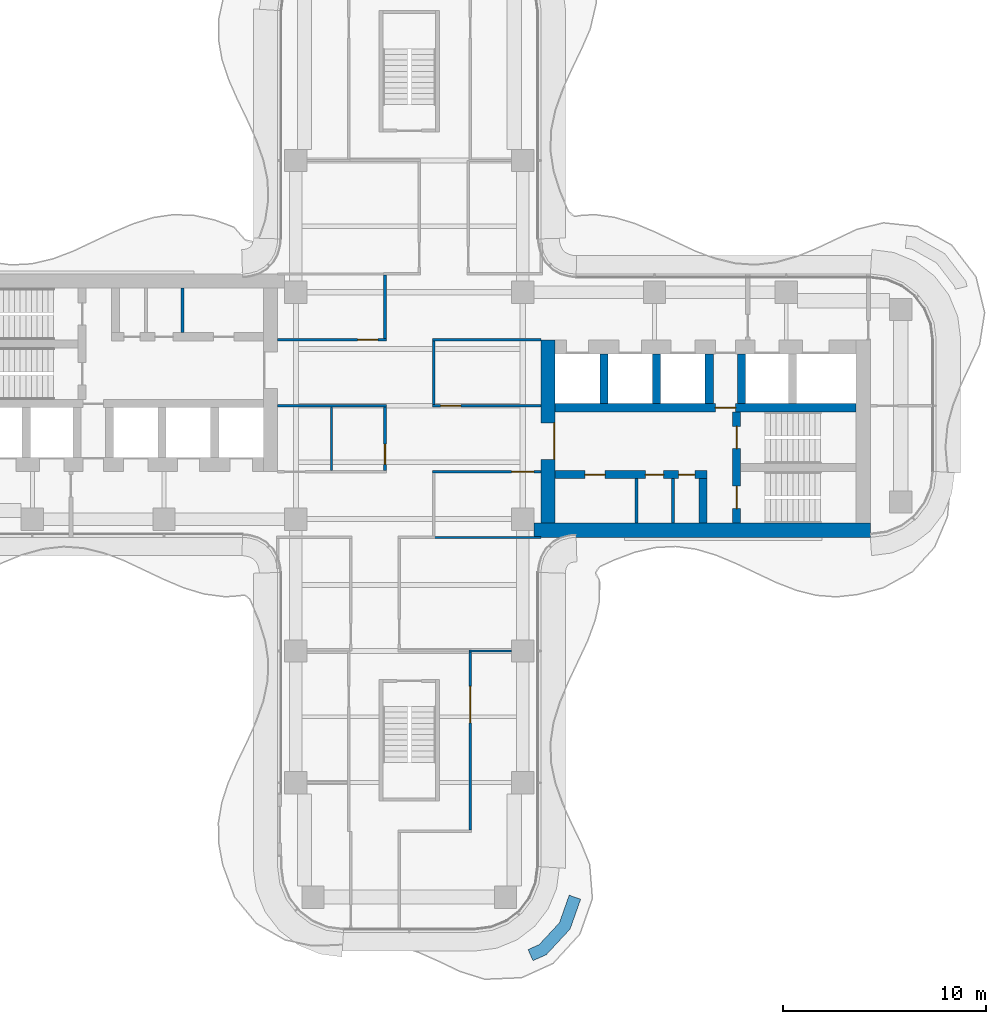
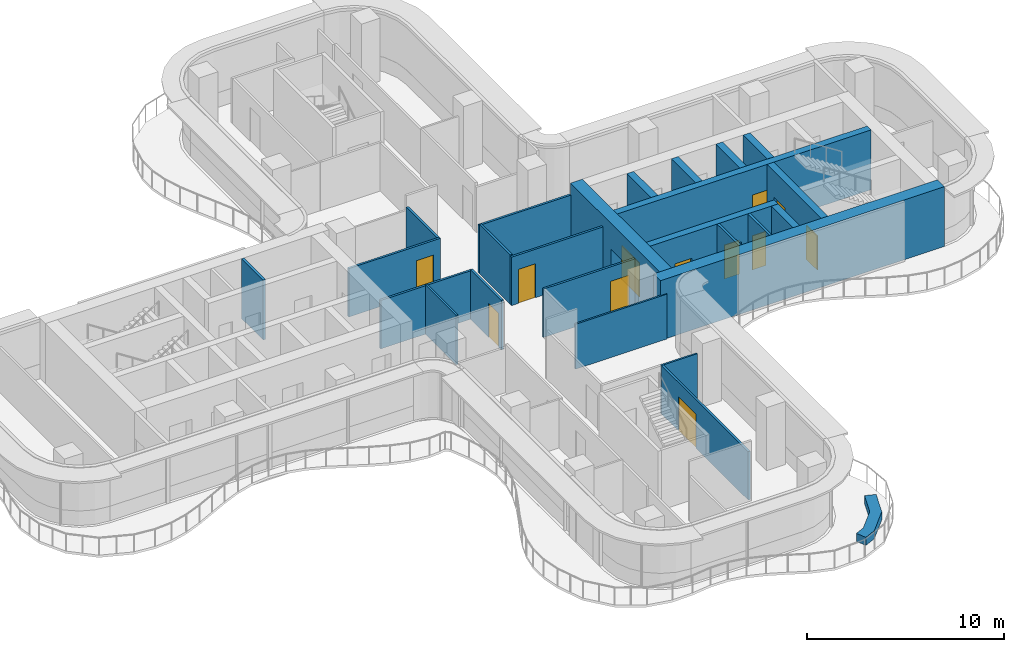
# One storey, part 13 of 17: 26 walls, 12 doors, 12 openings.
"""IFC4 building model written with IfcOpenShell, lengths in metres."""

from ifc_helpers import new_model, si_unit, direction, frame, frame_2d, origin, place, context, subcontext, project, spatial, polyline, rectangle, outline, extrude, source, transform, mapped, material, layer, layer_set, type_object, element, fill, save


model = new_model("IFC4")

# Units and contexts
model_context = context("Model", 3, precision=1e-05, world=origin(), true_north=direction((0.0, 1.0)))
body_context = subcontext(model_context, "Body", "Model", "MODEL_VIEW")
ifc_project = project(units=[si_unit("LENGTHUNIT", "METRE"), si_unit("AREAUNIT", "SQUARE_METRE"), si_unit("VOLUMEUNIT", "CUBIC_METRE"), si_unit("PLANEANGLEUNIT", "RADIAN"), si_unit("MASSUNIT", "GRAM", prefix="KILO")], contexts=[model_context])

# Site, building, storey
site_placement = place(None, origin())
site = spatial("IfcSite", under=ifc_project, at=site_placement, CompositionType="ELEMENT")
building_placement = place(site_placement, origin())
building = spatial("IfcBuilding", under=site, at=building_placement, Name="Trellis Farm Tower", CompositionType="ELEMENT")
storey_placement = place(building_placement, frame((0.0, 0.0, 240.199951171875)))
storey = spatial("IfcBuildingStorey", under=building, at=storey_placement, Name="L53", CompositionType="ELEMENT", Elevation=240.199951171875)

# Wall
ifc_material_1 = material(Name="Sandstone faced masonry planter", Category="masonry")
ifc_layer_1 = layer(ifc_material_1, 0.60009765625)
ifc_layer_set_1 = layer_set([ifc_layer_1], Name="PLANTER BED 600")
wall_type_1 = type_object("IfcWallType", Name="PLANTER BED 600", PredefinedType="USERDEFINED", material=ifc_layer_set_1)
wall_1_placement = place(storey_placement, origin())
element("IfcWall", 1, at=wall_1_placement, inside=storey, type_object=wall_type_1, Name="PLANTER bed", ObjectType="PLANTER", PredefinedType="USERDEFINED", context=body_context, shape_type="SweptSolid", body=[
    extrude(outline(polyline([(6.760986328125, -27.091064453125), (6.1025390625, -27.38525390625), (5.85791015625, -26.83740234375), (6.404541015625, -26.59326171875), (7.40673828125, -25.514404296875), (7.888671875, -24.1533203125), (8.4541015625, -24.353759765625), (7.930908203125, -25.831787109375), (6.760986328125, -27.091064453125)])), origin(), (0.0, 0.0, 1.0), 0.5),
])

# Wall, opening, door
ifc_material_2 = material(Name="Concrete C60/75", Category="concrete")
ifc_layer_2 = layer(ifc_material_2, 0.699951171875)
ifc_layer_set_2 = layer_set([ifc_layer_2], Name="CORE OUTER WALL 700 CONCRETE C60/75")
wall_type_2 = type_object("IfcWallType", Name="CORE OUTER WALL 700 CONCRETE C60/75", PredefinedType="SHEAR", material=ifc_layer_set_2)
shared_shape_1 = source(origin(), body_context, "Body", "SweptSolid", [
    extrude(rectangle(XDim=9.050048828125, YDim=0.699951171875, at=frame_2d((4.52490234375, 0.0))), origin(), (0.0, 0.0, 1.0), 3.699951171875),
])
wall_2_placement = place(storey_placement, frame((6.85009765625, -5.800048828125, 0.0), z_axis=(0.0, 0.0, 1.0), x_axis=(0.0, 1.0, 0.0)))
wall_2 = element("IfcWall", 2, at=wall_2_placement, inside=storey, type_object=wall_type_2, Name="Core wall", PredefinedType="SHEAR", context=body_context, shape_type="MappedRepresentation", body=[
    mapped(shared_shape_1, transform((0.0, 0.0, 0.0))),
])
shared_shape_2 = source(origin(), body_context, "Body", "SweptSolid", [
    extrude(rectangle(XDim=1.800048828125, YDim=2.10009765625, at=frame_2d((0.89990234375, 1.050048828125))), frame((0.0, 0.360107421875, 0.0), z_axis=(0.0, -1.0, 0.0), x_axis=(1.0, 0.0, 0.0)), (0.0, 0.0, 1.0), 0.72021484375),
])
opening_1_placement = place(wall_2_placement, frame((3.14990234375, 0.0, 0.0)))
opening_1 = element("IfcOpeningElement", 3, at=opening_1_placement, cuts=wall_2, Name="Opening DC1", PredefinedType="OPENING", context=body_context, shape_type="MappedRepresentation", body=[
    mapped(shared_shape_2, transform((0.0, 0.0, 0.0))),
])
ifc_material_3 = material(Name="Steel", Category="steel")
door_type_1 = type_object("IfcDoorType", Name="CORE FIRE DOOR DOUBLE 1800 X 2100", OperationType="DOUBLE_DOOR_SINGLE_SWING", PredefinedType="DOOR", material=ifc_material_3)
shared_shape_3 = source(origin(), body_context, "Body", "SweptSolid", [
    extrude(rectangle(XDim=1.800048828125, YDim=2.10009765625, at=frame_2d((0.89990234375, 1.050048828125))), frame((0.0, -0.27490234375, 0.0), z_axis=(0.0, -1.0, 0.0), x_axis=(1.0, 0.0, 0.0)), (0.0, 0.0, 1.0), 0.050048828125),
])
door_1_placement = place(opening_1_placement, origin())
door_1 = element("IfcDoor", 4, at=door_1_placement, inside=storey, type_object=door_type_1, Name="Core door", OperationType="DOUBLE_DOOR_SINGLE_SWING", OverallHeight=2.10009765625, OverallWidth=1.800048828125, PredefinedType="DOOR", context=body_context, shape_type="MappedRepresentation", body=[
    mapped(shared_shape_3, transform((0.0, 0.0, 0.0))),
])
fill(opening_1, door_1)

# Walls
ifc_layer_3 = layer(ifc_material_2, 0.39990234375)
ifc_layer_set_3 = layer_set([ifc_layer_3], Name="CORE INNER WALL 400 CONCRETE C60/75")
wall_type_3 = type_object("IfcWallType", Name="CORE INNER WALL 400 CONCRETE C60/75", PredefinedType="SHEAR", material=ifc_layer_set_3)
shared_shape_4 = source(origin(), body_context, "Body", "SweptSolid", [
    extrude(rectangle(XDim=2.449951171875, YDim=0.39990234375, at=frame_2d((1.22509765625, 0.0))), origin(), (0.0, 0.0, 1.0), 3.699951171875),
])
for number, where, z_axis, x_axis, name in (
    (5, (9.60009765625, 0.10009765625, 0.0), (0.0, 0.0, 1.0), (0.0, 1.0, 0.0), "Core wall"),
    (6, (12.199951171875, 0.10009765625, 0.0), (0.0, 0.0, 1.0), (0.0, 1.0, 0.0), "Core wall"),
    (7, (14.800048828125, 0.10009765625, 0.0), (0.0, 0.0, 1.0), (0.0, 1.0, 0.0), "Core wall"),
    (8, (16.39990234375, 0.10009765625, 0.0), (0.0, 0.0, 1.0), (0.0, 1.0, 0.0), "Core wall"),
):
    element("IfcWall", number, at=place(storey_placement, frame(where, z_axis=z_axis, x_axis=x_axis)), inside=storey, type_object=wall_type_3, Name=name, PredefinedType="SHEAR", context=body_context, shape_type="MappedRepresentation", body=[
        mapped(shared_shape_4, transform((0.0, 0.0, 0.0))),
    ])

# Wall, openings, doors
shared_shape_5 = source(origin(), body_context, "Body", "SweptSolid", [
    extrude(rectangle(XDim=7.5, YDim=0.39990234375, at=frame_2d((3.75, 0.0))), origin(), (0.0, 0.0, 1.0), 3.699951171875),
])
wall_3_placement = place(storey_placement, frame((7.199951171875, -3.39990234375, 0.0), z_axis=(0.0, 0.0, 1.0), x_axis=(1.0, 0.0, 0.0)))
wall_3 = element("IfcWall", 9, at=wall_3_placement, inside=storey, type_object=wall_type_3, Name="Core wall", PredefinedType="SHEAR", context=body_context, shape_type="MappedRepresentation", body=[
    mapped(shared_shape_5, transform((0.0, 0.0, 0.0))),
])
shared_shape_6 = source(origin(), body_context, "Body", "SweptSolid", [
    extrude(rectangle(XDim=1.0, YDim=2.10009765625, at=frame_2d((0.5, 1.050048828125))), frame((0.0, 0.2099609375, 0.0), z_axis=(0.0, -1.0, 0.0), x_axis=(1.0, 0.0, 0.0)), (0.0, 0.0, 1.0), 0.419921875),
])
opening_2_placement = place(wall_3_placement, frame((1.46240234375, 0.0, 0.0)))
opening_2 = element("IfcOpeningElement", 10, at=opening_2_placement, cuts=wall_3, Name="Opening DC55", PredefinedType="OPENING", context=body_context, shape_type="MappedRepresentation", body=[
    mapped(shared_shape_6, transform((0.0, 0.0, 0.0))),
])
shared_shape_7 = source(origin(), body_context, "Body", "SweptSolid", [
    extrude(rectangle(XDim=0.89990234375, YDim=2.10009765625, at=frame_2d((0.449951171875, 1.050048828125))), frame((0.0, 0.2099609375, 0.0), z_axis=(0.0, -1.0, 0.0), x_axis=(1.0, 0.0, 0.0)), (0.0, 0.0, 1.0), 0.419921875),
])
opening_3_placement = place(wall_3_placement, frame((4.449951171875, 0.0, 0.0)))
opening_3 = element("IfcOpeningElement", 11, at=opening_3_placement, cuts=wall_3, Name="Opening DC60", PredefinedType="OPENING", context=body_context, shape_type="MappedRepresentation", body=[
    mapped(shared_shape_7, transform((0.0, 0.0, 0.0))),
])
shared_shape_8 = source(origin(), body_context, "Body", "SweptSolid", [
    extrude(rectangle(XDim=0.800048828125, YDim=2.10009765625, at=frame_2d((0.39990234375, 1.050048828125))), frame((0.0, 0.2099609375, 0.0), z_axis=(0.0, -1.0, 0.0), x_axis=(1.0, 0.0, 0.0)), (0.0, 0.0, 1.0), 0.419921875),
])
opening_4_placement = place(wall_3_placement, frame((6.08740234375, 0.0, 0.0)))
opening_4 = element("IfcOpeningElement", 12, at=opening_4_placement, cuts=wall_3, Name="Opening DC63", PredefinedType="OPENING", context=body_context, shape_type="MappedRepresentation", body=[
    mapped(shared_shape_8, transform((0.0, 0.0, 0.0))),
])
door_type_2 = type_object("IfcDoorType", Name="CORE FIRE DOOR 1000 X 2100", OperationType="NOTDEFINED", PredefinedType="DOOR", material=ifc_material_3)
shared_shape_9 = source(origin(), body_context, "Body", "SweptSolid", [
    extrude(rectangle(XDim=1.0, YDim=2.10009765625, at=frame_2d((0.5, 1.050048828125))), frame((0.0, 0.02490234375, 0.0), z_axis=(0.0, -1.0, 0.0), x_axis=(1.0, 0.0, 0.0)), (0.0, 0.0, 1.0), 0.050048828125),
])
door_2_placement = place(opening_2_placement, origin())
door_2 = element("IfcDoor", 13, at=door_2_placement, inside=storey, type_object=door_type_2, Name="Core door", OperationType="SINGLE_SWING_LEFT", OverallHeight=2.10009765625, OverallWidth=1.0, PredefinedType="DOOR", context=body_context, shape_type="MappedRepresentation", body=[
    mapped(shared_shape_9, transform((0.0, 0.0, 0.0))),
])
fill(opening_2, door_2)
door_type_3 = type_object("IfcDoorType", Name="CORE FIRE DOOR 900 X 2100", OperationType="NOTDEFINED", PredefinedType="DOOR", material=ifc_material_3)
shared_shape_10 = source(origin(), body_context, "Body", "SweptSolid", [
    extrude(rectangle(XDim=0.89990234375, YDim=2.10009765625, at=frame_2d((0.449951171875, 1.050048828125))), frame((0.0, 0.02490234375, 0.0), z_axis=(0.0, -1.0, 0.0), x_axis=(1.0, 0.0, 0.0)), (0.0, 0.0, 1.0), 0.050048828125),
])
door_3_placement = place(opening_3_placement, origin())
door_3 = element("IfcDoor", 14, at=door_3_placement, inside=storey, type_object=door_type_3, Name="Core door", OperationType="SINGLE_SWING_RIGHT", OverallHeight=2.10009765625, OverallWidth=0.89990234375, PredefinedType="DOOR", context=body_context, shape_type="MappedRepresentation", body=[
    mapped(shared_shape_10, transform((0.0, 0.0, 0.0))),
])
fill(opening_3, door_3)
door_type_4 = type_object("IfcDoorType", Name="CORE FIRE DOOR 800 X 2100", OperationType="NOTDEFINED", PredefinedType="DOOR", material=ifc_material_3)
shared_shape_11 = source(origin(), body_context, "Body", "SweptSolid", [
    extrude(rectangle(XDim=0.800048828125, YDim=2.10009765625, at=frame_2d((0.39990234375, 1.050048828125))), frame((0.0, 0.02490234375, 0.0), z_axis=(0.0, -1.0, 0.0), x_axis=(1.0, 0.0, 0.0)), (0.0, 0.0, 1.0), 0.050048828125),
])
door_4_placement = place(opening_4_placement, origin())
door_4 = element("IfcDoor", 15, at=door_4_placement, inside=storey, type_object=door_type_4, Name="Core door", OperationType="SINGLE_SWING_LEFT", OverallHeight=2.10009765625, OverallWidth=0.800048828125, PredefinedType="DOOR", context=body_context, shape_type="MappedRepresentation", body=[
    mapped(shared_shape_11, transform((0.0, 0.0, 0.0))),
])
fill(opening_4, door_4)

# Wall, opening, door
shared_shape_12 = source(origin(), body_context, "Body", "SweptSolid", [
    extrude(rectangle(XDim=14.85009765625, YDim=0.39990234375, at=frame_2d((7.425048828125, 0.0))), origin(), (0.0, 0.0, 1.0), 3.699951171875),
])
wall_4_placement = place(storey_placement, frame((7.199951171875, -0.10009765625, 0.0), z_axis=(0.0, 0.0, 1.0), x_axis=(1.0, 0.0, 0.0)))
wall_4 = element("IfcWall", 16, at=wall_4_placement, inside=storey, type_object=wall_type_3, Name="Core wall", PredefinedType="SHEAR", context=body_context, shape_type="MappedRepresentation", body=[
    mapped(shared_shape_12, transform((0.0, 0.0, 0.0))),
])
opening_5_placement = place(wall_4_placement, frame((7.89990234375, 0.0, 0.0)))
opening_5 = element("IfcOpeningElement", 17, at=opening_5_placement, cuts=wall_4, Name="Opening DC5", PredefinedType="OPENING", context=body_context, shape_type="MappedRepresentation", body=[
    mapped(shared_shape_6, transform((0.0, 0.0, 0.0))),
])
door_5_placement = place(opening_5_placement, origin())
door_5 = element("IfcDoor", 18, at=door_5_placement, inside=storey, type_object=door_type_2, Name="Core door", OperationType="SINGLE_SWING_RIGHT", OverallHeight=2.10009765625, OverallWidth=1.0, PredefinedType="DOOR", context=body_context, shape_type="MappedRepresentation", body=[
    mapped(shared_shape_9, transform((0.0, 0.0, 0.0))),
])
fill(opening_5, door_5)

# Wall, openings, doors
shared_shape_13 = source(origin(), body_context, "Body", "SweptSolid", [
    extrude(rectangle(XDim=5.5, YDim=0.39990234375, at=frame_2d((2.75, 0.0))), origin(), (0.0, 0.0, 1.0), 3.699951171875),
])
wall_5_placement = place(storey_placement, frame((16.14990234375, -5.800048828125, 0.0), z_axis=(0.0, 0.0, 1.0), x_axis=(0.0, 1.0, 0.0)))
wall_5 = element("IfcWall", 19, at=wall_5_placement, inside=storey, type_object=wall_type_3, Name="Core wall", PredefinedType="SHEAR", context=body_context, shape_type="MappedRepresentation", body=[
    mapped(shared_shape_13, transform((0.0, 0.0, 0.0))),
])
shared_shape_14 = source(origin(), body_context, "Body", "SweptSolid", [
    extrude(rectangle(XDim=1.10009765625, YDim=2.10009765625, at=frame_2d((0.550048828125, 1.050048828125))), frame((0.0, 0.2099609375, 0.0), z_axis=(0.0, -1.0, 0.0), x_axis=(1.0, 0.0, 0.0)), (0.0, 0.0, 1.0), 0.419921875),
])
opening_6_placement = place(wall_5_placement, frame((0.72509765625, 0.0, 0.0)))
opening_6 = element("IfcOpeningElement", 20, at=opening_6_placement, cuts=wall_5, Name="Opening DC2", PredefinedType="OPENING", context=body_context, shape_type="MappedRepresentation", body=[
    mapped(shared_shape_14, transform((0.0, 0.0, 0.0))),
])
opening_7_placement = place(wall_5_placement, frame((3.675048828125, 0.0, 0.0)))
opening_7 = element("IfcOpeningElement", 21, at=opening_7_placement, cuts=wall_5, Name="Opening DC3", PredefinedType="OPENING", context=body_context, shape_type="MappedRepresentation", body=[
    mapped(shared_shape_14, transform((0.0, 0.0, 0.0))),
])
door_type_5 = type_object("IfcDoorType", Name="CORE FIRE DOOR 1100 X 2100", OperationType="NOTDEFINED", PredefinedType="DOOR", material=ifc_material_3)
shared_shape_15 = source(origin(), body_context, "Body", "SweptSolid", [
    extrude(rectangle(XDim=1.10009765625, YDim=2.10009765625, at=frame_2d((0.550048828125, 1.050048828125))), frame((0.0, 0.02490234375, 0.0), z_axis=(0.0, -1.0, 0.0), x_axis=(1.0, 0.0, 0.0)), (0.0, 0.0, 1.0), 0.050048828125),
])
door_6_placement = place(opening_6_placement, origin())
door_6 = element("IfcDoor", 22, at=door_6_placement, inside=storey, type_object=door_type_5, Name="Core door", OperationType="SINGLE_SWING_RIGHT", OverallHeight=2.10009765625, OverallWidth=1.10009765625, PredefinedType="DOOR", context=body_context, shape_type="MappedRepresentation", body=[
    mapped(shared_shape_15, transform((0.0, 0.0, 0.0))),
])
fill(opening_6, door_6)
door_7_placement = place(opening_7_placement, origin())
door_7 = element("IfcDoor", 23, at=door_7_placement, inside=storey, type_object=door_type_5, Name="Core door", OperationType="SINGLE_SWING_LEFT", OverallHeight=2.10009765625, OverallWidth=1.10009765625, PredefinedType="DOOR", context=body_context, shape_type="MappedRepresentation", body=[
    mapped(shared_shape_15, transform((0.0, 0.0, 0.0))),
])
fill(opening_7, door_7)

# Walls
shared_shape_16 = source(origin(), body_context, "Body", "SweptSolid", [
    extrude(rectangle(XDim=2.199951171875, YDim=0.39990234375, at=frame_2d((1.10009765625, 0.0))), origin(), (0.0, 0.0, 1.0), 3.699951171875),
])
wall_6_placement = place(storey_placement, frame((14.5, -5.800048828125, 0.0), z_axis=(0.0, 0.0, 1.0), x_axis=(0.0, 1.0, 0.0)))
element("IfcWall", 24, at=wall_6_placement, inside=storey, type_object=wall_type_3, Name="Core wall", PredefinedType="SHEAR", context=body_context, shape_type="MappedRepresentation", body=[
    mapped(shared_shape_16, transform((0.0, 0.0, 0.0))),
])
ifc_material_4 = material(Name="Masonry blockwork", Category="masonry")
ifc_layer_4 = layer(ifc_material_4, 0.14990234375)
ifc_layer_set_4 = layer_set([ifc_layer_4], Name="CORE PARTITION 150 BLOCKWORK")
wall_type_4 = type_object("IfcWallType", Name="CORE PARTITION 150 BLOCKWORK", PredefinedType="PARTITIONING", material=ifc_layer_set_4)
shared_shape_17 = source(origin(), body_context, "Body", "SweptSolid", [
    extrude(rectangle(XDim=2.199951171875, YDim=0.14990234375, at=frame_2d((1.10009765625, 0.0))), origin(), (0.0, 0.0, 1.0), 3.699951171875),
])
for number, where, z_axis, x_axis, name in (
    (25, (11.199951171875, -5.800048828125, 0.0), (0.0, 0.0, 1.0), (0.0, 1.0, 0.0), "Core room partition"),
    (26, (13.0, -5.800048828125, 0.0), (0.0, 0.0, 1.0), (0.0, 1.0, 0.0), "Core room partition"),
    (27, (-11.199951171875, 5.800048828125, 0.0), (0.0, 0.0, 1.0), (0.0, -1.0, 0.0), "Core room partition"),
):
    element("IfcWall", number, at=place(storey_placement, frame(where, z_axis=z_axis, x_axis=x_axis)), inside=storey, type_object=wall_type_4, Name=name, PredefinedType="PARTITIONING", context=body_context, shape_type="MappedRepresentation", body=[
        mapped(shared_shape_17, transform((0.0, 0.0, 0.0))),
    ])
shared_shape_18 = source(origin(), body_context, "Body", "SweptSolid", [
    extrude(rectangle(XDim=16.60009765625, YDim=0.699951171875, at=frame_2d((8.300048828125, 0.0))), origin(), (0.0, 0.0, 1.0), 3.699951171875),
])
wall_7_placement = place(storey_placement, frame((6.14990234375, -6.14990234375, 0.0), z_axis=(0.0, 0.0, 1.0), x_axis=(1.0, 0.0, 0.0)))
element("IfcWall", 28, at=wall_7_placement, inside=storey, type_object=wall_type_2, Name="Core wall", PredefinedType="SHEAR", context=body_context, shape_type="MappedRepresentation", body=[
    mapped(shared_shape_18, transform((0.0, 0.0, 0.0))),
])
ifc_material_5 = material(Name="Plasterboard on steel studs, mineral wool", Category="steel")
ifc_layer_5 = layer(ifc_material_5, 0.125)
ifc_layer_set_5 = layer_set([ifc_layer_5], Name="PARTITION 125 STUD EI 60")
wall_type_5 = type_object("IfcWallType", Name="PARTITION 125 STUD EI 60", PredefinedType="PARTITIONING", material=ifc_layer_set_5)
shared_shape_19 = source(origin(), body_context, "Body", "SweptSolid", [
    extrude(rectangle(XDim=3.137451171875, YDim=0.125, at=frame_2d((1.56884765625, 0.0))), origin(), (0.0, 0.0, 1.0), 2.99658203125),
])
wall_8_placement = place(storey_placement, frame((-1.199951171875, 6.449951171875, 0.0), z_axis=(0.0, 0.0, 1.0), x_axis=(0.0, -1.0, 0.0)))
element("IfcWall", 29, at=wall_8_placement, inside=storey, type_object=wall_type_5, Name="Partition PW1", PredefinedType="PARTITIONING", context=body_context, shape_type="MappedRepresentation", body=[
    mapped(shared_shape_19, transform((0.0, 0.0, 0.0))),
])

# Wall, opening, door
shared_shape_20 = source(origin(), body_context, "Body", "SweptSolid", [
    extrude(rectangle(XDim=3.125, YDim=0.125, at=frame_2d((1.5625, 0.0))), origin(), (0.0, 0.0, 1.0), 3.06787109375),
])
wall_9_placement = place(storey_placement, frame((-1.199951171875, -0.0625, 0.0), z_axis=(0.0, 0.0, 1.0), x_axis=(0.0, -1.0, 0.0)))
wall_9 = element("IfcWall", 30, at=wall_9_placement, inside=storey, type_object=wall_type_5, Name="Partition PW1", PredefinedType="PARTITIONING", context=body_context, shape_type="MappedRepresentation", body=[
    mapped(shared_shape_20, transform((0.0, 0.0, 0.0))),
])
shared_shape_21 = source(origin(), body_context, "Body", "SweptSolid", [
    extrude(rectangle(XDim=1.0, YDim=2.10009765625, at=frame_2d((0.5, 1.050048828125))), frame((0.0, 0.072509765625, 0.0), z_axis=(0.0, -1.0, 0.0), x_axis=(1.0, 0.0, 0.0)), (0.0, 0.0, 1.0), 0.14501953125),
])
opening_8_placement = place(wall_9_placement, frame((1.83740234375, 0.0, 0.0)))
opening_8 = element("IfcOpeningElement", 31, at=opening_8_placement, cuts=wall_9, Name="Opening D105", PredefinedType="OPENING", context=body_context, shape_type="MappedRepresentation", body=[
    mapped(shared_shape_21, transform((0.0, 0.0, 0.0))),
])
ifc_material_6 = material(Name="Fire-rated timber door leaf in a hollow metal frame", Category="wood")
door_type_6 = type_object("IfcDoorType", Name="DOOR 1000x2100 FD30S", OperationType="NOTDEFINED", PredefinedType="DOOR", material=ifc_material_6)
door_8_placement = place(opening_8_placement, origin())
door_8 = element("IfcDoor", 32, at=door_8_placement, inside=storey, type_object=door_type_6, Name="Door D105", OperationType="SINGLE_SWING_RIGHT", OverallHeight=2.10009765625, OverallWidth=1.0, PredefinedType="DOOR", context=body_context, shape_type="MappedRepresentation", body=[
    mapped(shared_shape_9, transform((0.0, 0.0, 0.0))),
])
fill(opening_8, door_8)

# Wall
wall_10_placement = place(storey_placement, frame((1.199951171875, 3.1875, 0.0), z_axis=(0.0, 0.0, 1.0), x_axis=(0.0, -1.0, 0.0)))
element("IfcWall", 33, at=wall_10_placement, inside=storey, type_object=wall_type_5, Name="Partition PW1", PredefinedType="PARTITIONING", context=body_context, shape_type="MappedRepresentation", body=[
    mapped(shared_shape_20, transform((0.0, 0.0, 0.0))),
])

# Wall, opening, door
shared_shape_22 = source(origin(), body_context, "Body", "SweptSolid", [
    extrude(rectangle(XDim=5.362548828125, YDim=0.125, at=frame_2d((2.68115234375, 0.0))), origin(), (0.0, 0.0, 1.0), 2.99658203125),
])
wall_11_placement = place(storey_placement, frame((6.5, -3.25, 0.0), z_axis=(0.0, 0.0, 1.0), x_axis=(-1.0, 0.0, 0.0)))
wall_11 = element("IfcWall", 34, at=wall_11_placement, inside=storey, type_object=wall_type_5, Name="Partition PW1", PredefinedType="PARTITIONING", context=body_context, shape_type="MappedRepresentation", body=[
    mapped(shared_shape_22, transform((0.0, 0.0, 0.0))),
])
shared_shape_23 = source(origin(), body_context, "Body", "SweptSolid", [
    extrude(rectangle(XDim=1.10009765625, YDim=2.10009765625, at=frame_2d((0.550048828125, 1.050048828125))), frame((0.0, 0.072509765625, 0.0), z_axis=(0.0, -1.0, 0.0), x_axis=(1.0, 0.0, 0.0)), (0.0, 0.0, 1.0), 0.14501953125),
])
opening_9_placement = place(wall_11_placement, frame((0.35009765625, 0.0, 0.0)))
opening_9 = element("IfcOpeningElement", 35, at=opening_9_placement, cuts=wall_11, Name="Opening D501", PredefinedType="OPENING", context=body_context, shape_type="MappedRepresentation", body=[
    mapped(shared_shape_23, transform((0.0, 0.0, 0.0))),
])
door_type_7 = type_object("IfcDoorType", Name="DOOR 1100x2100 FD30S", OperationType="NOTDEFINED", PredefinedType="DOOR", material=ifc_material_6)
door_9_placement = place(opening_9_placement, origin())
door_9 = element("IfcDoor", 36, at=door_9_placement, inside=storey, type_object=door_type_7, Name="Door D501", OperationType="SINGLE_SWING_LEFT", OverallHeight=2.10009765625, OverallWidth=1.10009765625, PredefinedType="DOOR", context=body_context, shape_type="MappedRepresentation", body=[
    mapped(shared_shape_15, transform((0.0, 0.0, 0.0))),
])
fill(opening_9, door_9)

# Wall
wall_12_placement = place(storey_placement, frame((-1.137451171875, 0.0, 0.0), z_axis=(0.0, 0.0, 1.0), x_axis=(-1.0, 0.0, 0.0)))
element("IfcWall", 37, at=wall_12_placement, inside=storey, type_object=wall_type_5, Name="Partition PW1", PredefinedType="PARTITIONING", context=body_context, shape_type="MappedRepresentation", body=[
    mapped(shared_shape_22, transform((0.0, 0.0, 0.0))),
])

# Wall, opening, door
wall_13_placement = place(storey_placement, frame((6.5, 0.0, 0.0), z_axis=(0.0, 0.0, 1.0), x_axis=(-1.0, 0.0, 0.0)))
wall_13 = element("IfcWall", 38, at=wall_13_placement, inside=storey, type_object=wall_type_5, Name="Partition PW1", PredefinedType="PARTITIONING", context=body_context, shape_type="MappedRepresentation", body=[
    mapped(shared_shape_22, transform((0.0, 0.0, 0.0))),
])
opening_10_placement = place(wall_13_placement, frame((3.949951171875, 0.0, 0.0)))
opening_10 = element("IfcOpeningElement", 39, at=opening_10_placement, cuts=wall_13, Name="Opening D106", PredefinedType="OPENING", context=body_context, shape_type="MappedRepresentation", body=[
    mapped(shared_shape_21, transform((0.0, 0.0, 0.0))),
])
door_10_placement = place(opening_10_placement, origin())
door_10 = element("IfcDoor", 40, at=door_10_placement, inside=storey, type_object=door_type_6, Name="Door D106", OperationType="SINGLE_SWING_RIGHT", OverallHeight=2.10009765625, OverallWidth=1.0, PredefinedType="DOOR", context=body_context, shape_type="MappedRepresentation", body=[
    mapped(shared_shape_9, transform((0.0, 0.0, 0.0))),
])
fill(opening_10, door_10)

wall_14_placement = place(storey_placement, frame((-6.5, 3.25, 0.0), z_axis=(0.0, 0.0, 1.0), x_axis=(1.0, 0.0, 0.0)))
wall_14 = element("IfcWall", 41, at=wall_14_placement, inside=storey, type_object=wall_type_5, Name="Partition PW1", PredefinedType="PARTITIONING", context=body_context, shape_type="MappedRepresentation", body=[
    mapped(shared_shape_22, transform((0.0, 0.0, 0.0))),
])
opening_11_placement = place(wall_14_placement, frame((3.949951171875, 0.0, 0.0)))
opening_11 = element("IfcOpeningElement", 42, at=opening_11_placement, cuts=wall_14, Name="Opening D108", PredefinedType="OPENING", context=body_context, shape_type="MappedRepresentation", body=[
    mapped(shared_shape_21, transform((0.0, 0.0, 0.0))),
])
door_11_placement = place(opening_11_placement, origin())
door_11 = element("IfcDoor", 43, at=door_11_placement, inside=storey, type_object=door_type_6, Name="Door D108", OperationType="SINGLE_SWING_RIGHT", OverallHeight=2.10009765625, OverallWidth=1.0, PredefinedType="DOOR", context=body_context, shape_type="MappedRepresentation", body=[
    mapped(shared_shape_9, transform((0.0, 0.0, 0.0))),
])
fill(opening_11, door_11)

# Walls
wall_15_placement = place(storey_placement, frame((1.137451171875, 3.25, 0.0), z_axis=(0.0, 0.0, 1.0), x_axis=(1.0, 0.0, 0.0)))
element("IfcWall", 44, at=wall_15_placement, inside=storey, type_object=wall_type_5, Name="Partition PW1", PredefinedType="PARTITIONING", context=body_context, shape_type="MappedRepresentation", body=[
    mapped(shared_shape_22, transform((0.0, 0.0, 0.0))),
])
ifc_material_7 = material(Name="Plasterboard on steel studs", Category="steel")
ifc_layer_6 = layer(ifc_material_7, 0.10009765625)
ifc_layer_set_6 = layer_set([ifc_layer_6], Name="PARTITION 100 STUD EI 30")
wall_type_6 = type_object("IfcWallType", Name="PARTITION 100 STUD EI 30", PredefinedType="PARTITIONING", material=ifc_layer_set_6)
shared_shape_24 = source(origin(), body_context, "Body", "SweptSolid", [
    extrude(rectangle(XDim=5.362548828125, YDim=0.10009765625, at=frame_2d((2.68115234375, 0.0))), origin(), (0.0, 0.0, 1.0), 2.780029296875),
])
wall_16_placement = place(storey_placement, frame((1.137451171875, -6.5, 0.0), z_axis=(0.0, 0.0, 1.0), x_axis=(1.0, 0.0, 0.0)))
element("IfcWall", 45, at=wall_16_placement, inside=storey, type_object=wall_type_6, Name="Partition PW2", PredefinedType="PARTITIONING", context=body_context, shape_type="MappedRepresentation", body=[
    mapped(shared_shape_24, transform((0.0, 0.0, 0.0))),
])

# Wall, opening, door
shared_shape_25 = source(origin(), body_context, "Body", "SweptSolid", [
    extrude(rectangle(XDim=8.78759765625, YDim=0.125, at=frame_2d((4.393798828125, 0.0))), origin(), (0.0, 0.0, 1.0), 2.99658203125),
])
wall_17_placement = place(storey_placement, frame((3.0, -12.14990234375, 0.0), z_axis=(0.0, 0.0, 1.0), x_axis=(0.0, -1.0, 0.0)))
wall_17 = element("IfcWall", 46, at=wall_17_placement, inside=storey, type_object=wall_type_5, Name="Partition PW1", PredefinedType="PARTITIONING", context=body_context, shape_type="MappedRepresentation", body=[
    mapped(shared_shape_25, transform((0.0, 0.0, 0.0))),
])
shared_shape_26 = source(origin(), body_context, "Body", "SweptSolid", [
    extrude(rectangle(XDim=1.800048828125, YDim=2.10009765625, at=frame_2d((0.89990234375, 1.050048828125))), frame((0.0, 0.072509765625, 0.0), z_axis=(0.0, -1.0, 0.0), x_axis=(1.0, 0.0, 0.0)), (0.0, 0.0, 1.0), 0.14501953125),
])
opening_12_placement = place(wall_17_placement, frame((1.699951171875, 0.0, 0.0)))
opening_12 = element("IfcOpeningElement", 47, at=opening_12_placement, cuts=wall_17, Name="Opening D201", PredefinedType="OPENING", context=body_context, shape_type="MappedRepresentation", body=[
    mapped(shared_shape_26, transform((0.0, 0.0, 0.0))),
])
door_type_8 = type_object("IfcDoorType", Name="DOOR PAIR 1800x2100 FD30S", OperationType="NOTDEFINED", PredefinedType="DOOR", material=ifc_material_6)
shared_shape_27 = source(origin(), body_context, "Body", "SweptSolid", [
    extrude(rectangle(XDim=1.800048828125, YDim=2.10009765625, at=frame_2d((0.89990234375, 1.050048828125))), frame((0.0, 0.02490234375, 0.0), z_axis=(0.0, -1.0, 0.0), x_axis=(1.0, 0.0, 0.0)), (0.0, 0.0, 1.0), 0.050048828125),
])
door_12_placement = place(opening_12_placement, origin())
door_12 = element("IfcDoor", 48, at=door_12_placement, inside=storey, type_object=door_type_8, Name="Door D201", OperationType="DOUBLE_DOOR_SINGLE_SWING", OverallHeight=2.10009765625, OverallWidth=1.800048828125, PredefinedType="DOOR", context=body_context, shape_type="MappedRepresentation", body=[
    mapped(shared_shape_27, transform((0.0, 0.0, 0.0))),
])
fill(opening_12, door_12)

# Walls
shared_shape_28 = source(origin(), body_context, "Body", "SweptSolid", [
    extrude(rectangle(XDim=2.112548828125, YDim=0.10009765625, at=frame_2d((1.05615234375, 0.0))), origin(), (0.0, 0.0, 1.0), 2.99658203125),
])
wall_18_placement = place(storey_placement, frame((2.9375, -12.10009765625, 0.0), z_axis=(0.0, 0.0, 1.0), x_axis=(1.0, 0.0, 0.0)))
element("IfcWall", 49, at=wall_18_placement, inside=storey, type_object=wall_type_6, Name="Partition PW2", PredefinedType="PARTITIONING", context=body_context, shape_type="MappedRepresentation", body=[
    mapped(shared_shape_28, transform((0.0, 0.0, 0.0))),
])
shared_shape_29 = source(origin(), body_context, "Body", "SweptSolid", [
    extrude(rectangle(XDim=3.125, YDim=0.10009765625, at=frame_2d((1.5625, 0.0))), origin(), (0.0, 0.0, 1.0), 3.06787109375),
])
wall_19_placement = place(storey_placement, frame((-3.85009765625, -3.1875, 0.0), z_axis=(0.0, 0.0, 1.0), x_axis=(0.0, 1.0, 0.0)))
element("IfcWall", 50, at=wall_19_placement, inside=storey, type_object=wall_type_6, Name="Partition PW2", PredefinedType="PARTITIONING", context=body_context, shape_type="MappedRepresentation", body=[
    mapped(shared_shape_29, transform((0.0, 0.0, 0.0))),
])

save(model, "model.ifc")
